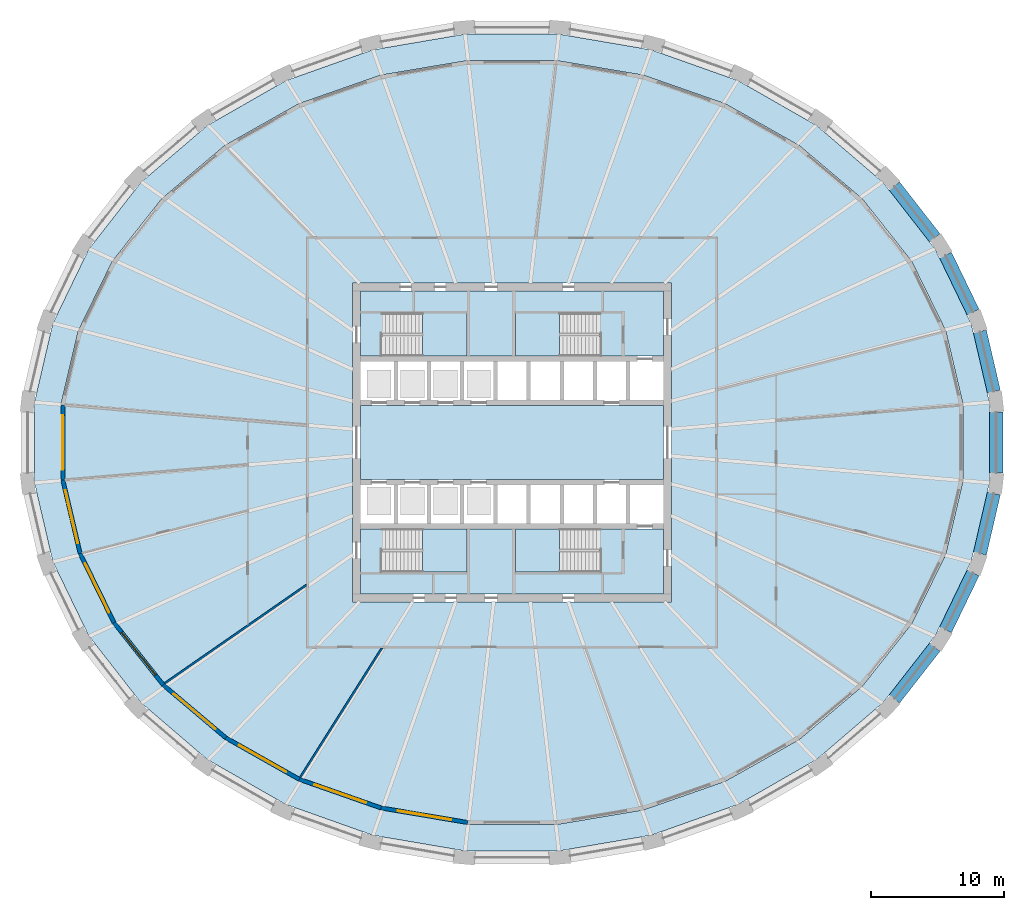
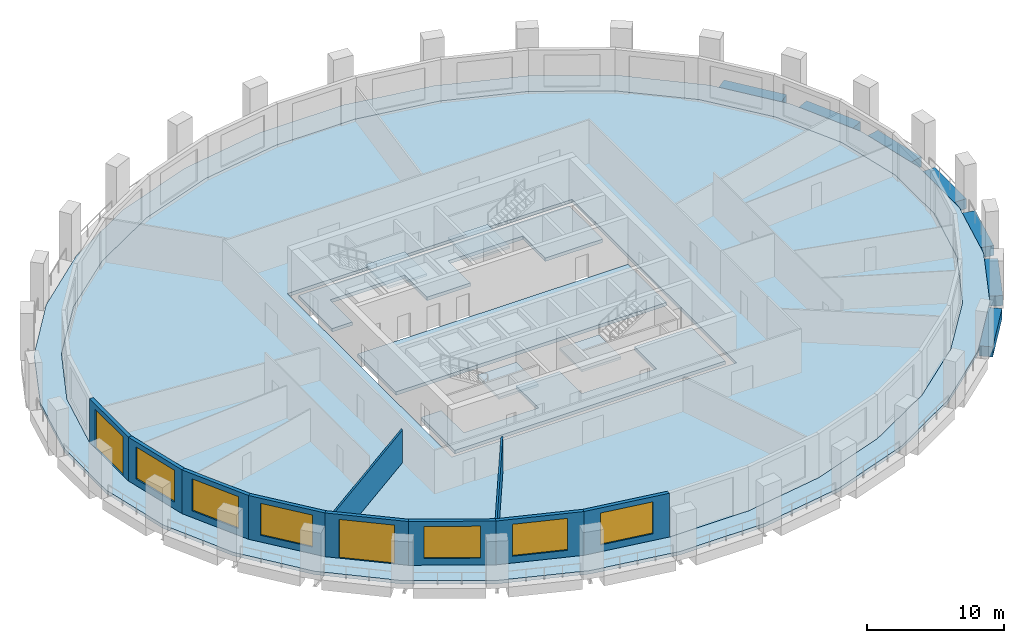
# One storey, part 2 of 11: 10 walls, 9 slabs, 7 beams, 6 windows, 2 doors, 8 openings, 4 elements without a shape of their own.
"""IFC4 building model written with IfcOpenShell, lengths in metres."""

from ifc_helpers import new_model, si_unit, direction, frame, frame_2d, origin, origin_2d, place, context, subcontext, project, spatial, polyline, rectangle, outline, extrude, material, layer, layer_set, material_profile, profile_set, type_object, element, fill, aggregate, save


model = new_model("IFC4")

# Units and contexts
model_context = context("Model", 3, precision=1e-05, world=origin(), true_north=direction((0.0, 1.0)))
body_context = subcontext(model_context, "Body", "Model", "MODEL_VIEW")
ifc_project = project(units=[si_unit("LENGTHUNIT", "METRE"), si_unit("AREAUNIT", "SQUARE_METRE"), si_unit("VOLUMEUNIT", "CUBIC_METRE"), si_unit("PLANEANGLEUNIT", "RADIAN"), si_unit("MASSUNIT", "GRAM", prefix="KILO")], contexts=[model_context])

# Site, building, storey
site_placement = place(None, origin())
site = spatial("IfcSite", under=ifc_project, at=site_placement, CompositionType="ELEMENT")
building_placement = place(site_placement, origin())
building = spatial("IfcBuilding", under=site, at=building_placement, Name="Halqa Exchange Tower", CompositionType="ELEMENT")
storey_placement = place(building_placement, frame((0.0, 0.0, 78.10009765625)))
storey = spatial("IfcBuildingStorey", under=building, at=storey_placement, Name="L17", CompositionType="ELEMENT", Elevation=78.10009765625)

# Beams
ifc_material_1 = material(Name="Concrete C60/75", Category="concrete")
ifc_material_profile = material_profile(ifc_material_1, rectangle(XDim=1.0, YDim=0.89990234375, at=origin_2d()), Name="1000 x 900")
ifc_profile_set = profile_set([ifc_material_profile], Name="Concrete C60/75")
beam_type = type_object("IfcBeamType", Name="RC spandrel beam 1000 x 900 C60/75", PredefinedType="SPANDREL", material=ifc_profile_set)
beam_1_placement = place(storey_placement, frame((36.279541015625, 3.83447265625, -0.4501953125), z_axis=(-0.226061116023, 0.97411312065, 0.0), x_axis=(-0.97411312065, -0.226061116023, 0.0)))
element("IfcBeam", 1, at=beam_1_placement, inside=storey, type_object=beam_type, Name="Spandrel 1", PredefinedType="SPANDREL", context=body_context, shape_type="SweptSolid", body=[
    extrude(rectangle(XDim=1.0, YDim=0.89990234375, at=origin_2d()), origin(), (0.0, 0.0, 1.0), 4.643798828125),
])
beam_2_placement = place(storey_placement, frame((34.716064453125, 9.814697265625, -0.4501953125), z_axis=(-0.435134718336, 0.900365357452, 0.0), x_axis=(-0.900365357452, -0.435134718336, 0.0)))
element("IfcBeam", 2, at=beam_2_placement, inside=storey, type_object=beam_type, Name="Spandrel 2", PredefinedType="SPANDREL", context=body_context, shape_type="SweptSolid", body=[
    extrude(rectangle(XDim=1.0, YDim=0.89990234375, at=origin_2d()), origin(), (0.0, 0.0, 1.0), 4.76171875),
])
for number, where, z_axis, x_axis, name in (
    (3, (31.82958984375, 15.41259765625, -0.4501953125), (-0.614823356822, 0.788664846374, 0.0), (-0.788664846374, -0.614823356822, 0.0), "Spandrel 3"),
    (4, (28.793701171875, -19.306884765625, -0.4501953125), (0.614823356822, 0.788664846374, 0.0), (-0.788664846374, 0.614823356822, 0.0), "Spandrel 29"),
):
    element("IfcBeam", number, at=place(storey_placement, frame(where, z_axis=z_axis, x_axis=x_axis)), inside=storey, type_object=beam_type, Name=name, PredefinedType="SPANDREL", context=body_context, shape_type="SweptSolid", body=[
        extrude(rectangle(XDim=1.0, YDim=0.89990234375, at=origin_2d()), origin(), (0.0, 0.0, 1.0), 4.937744140625),
    ])
beam_3_placement = place(storey_placement, frame((32.64404296875, -14.10205078125, -0.4501953125), z_axis=(0.435134718336, 0.900365357452, 0.0), x_axis=(-0.900365357452, 0.435134718336, 0.0)))
element("IfcBeam", 5, at=beam_3_placement, inside=storey, type_object=beam_type, Name="Spandrel 30", PredefinedType="SPANDREL", context=body_context, shape_type="SweptSolid", body=[
    extrude(rectangle(XDim=1.0, YDim=0.89990234375, at=origin_2d()), origin(), (0.0, 0.0, 1.0), 4.76171875),
])
beam_4_placement = place(storey_placement, frame((35.229736328125, -8.358154296875, -0.4501953125), z_axis=(0.226061116023, 0.97411312065, 0.0), x_axis=(-0.97411312065, 0.226061116023, 0.0)))
element("IfcBeam", 6, at=beam_4_placement, inside=storey, type_object=beam_type, Name="Spandrel 31", PredefinedType="SPANDREL", context=body_context, shape_type="SweptSolid", body=[
    extrude(rectangle(XDim=1.0, YDim=0.89990234375, at=origin_2d()), origin(), (0.0, 0.0, 1.0), 4.643798828125),
])
beam_5_placement = place(storey_placement, frame((36.455078125, -2.30029296875, -0.4501953125), z_axis=(0.0, 1.0, 0.0), x_axis=(-1.0, 0.0, 0.0)))
element("IfcBeam", 7, at=beam_5_placement, inside=storey, type_object=beam_type, Name="Spandrel 32", PredefinedType="SPANDREL", context=body_context, shape_type="SweptSolid", body=[
    extrude(rectangle(XDim=1.0, YDim=0.89990234375, at=origin_2d()), origin(), (0.0, 0.0, 1.0), 4.6005859375),
])

# Slabs
ifc_layer_1 = layer(ifc_material_1, 0.300048828125)
ifc_layer_set_1 = layer_set([ifc_layer_1], Name="Concrete C60/75")
slab_type_1 = type_object("IfcSlabType", Name="Core floor slab 300", PredefinedType="FLOOR", material=ifc_layer_set_1)
slab_1_placement = place(storey_placement, frame((0.0, 0.0, -0.300048828125)))
element("IfcSlab", 8, at=slab_1_placement, inside=storey, type_object=slab_type_1, Name="Core floor slab", PredefinedType="FLOOR", context=body_context, shape_type="SweptSolid", body=[
    extrude(outline(polyline([(-11.39990234375, 2.800048828125), (11.39990234375, 2.800048828125), (11.39990234375, -2.800048828125), (-11.39990234375, -2.800048828125), (-11.39990234375, 2.800048828125)])), origin(), (0.0, 0.0, 1.0), 0.300048828125),
])
slab_2_placement = place(storey_placement, frame((0.0, 0.0, -0.300048828125)))
element("IfcSlab", 9, at=slab_2_placement, inside=storey, type_object=slab_type_1, Name="Core floor slab", PredefinedType="FLOOR", context=body_context, shape_type="SweptSolid", body=[
    extrude(outline(polyline([(-11.39990234375, 11.39990234375), (11.39990234375, 11.39990234375), (11.39990234375, 6.5), (6.550048828125, 6.5), (6.550048828125, 9.75), (0.25, 9.75), (0.25, 6.5), (-3.39990234375, 6.5), (-3.39990234375, 9.75), (-9.699951171875, 9.75), (-9.699951171875, 6.5), (-11.39990234375, 6.5), (-11.39990234375, 11.39990234375)])), origin(), (0.0, 0.0, 1.0), 0.300048828125),
])
slab_3_placement = place(storey_placement, frame((0.0, 0.0, -0.300048828125)))
element("IfcSlab", 10, at=slab_3_placement, inside=storey, type_object=slab_type_1, Name="Core floor slab", PredefinedType="FLOOR", context=body_context, shape_type="SweptSolid", body=[
    extrude(outline(polyline([(-9.699951171875, -9.75), (-3.39990234375, -9.75), (-3.39990234375, -6.5), (0.25, -6.5), (0.25, -9.75), (6.550048828125, -9.75), (6.550048828125, -6.5), (11.39990234375, -6.5), (11.39990234375, -11.39990234375), (-11.39990234375, -11.39990234375), (-11.39990234375, -6.5), (-9.699951171875, -6.5), (-9.699951171875, -9.75)])), origin(), (0.0, 0.0, 1.0), 0.300048828125),
])
ifc_material_2 = material(Name="Concrete C40/50", Category="concrete")
ifc_layer_2 = layer(ifc_material_2, 0.300048828125)
ifc_layer_set_2 = layer_set([ifc_layer_2], Name="Concrete C40/50")
slab_type_2 = type_object("IfcSlabType", Name="RC floor slab 300", PredefinedType="FLOOR", material=ifc_layer_set_2)
slab_4_placement = place(storey_placement, frame((0.0, 0.0, -0.300048828125)))
element("IfcSlab", 11, at=slab_4_placement, inside=storey, type_object=slab_type_2, Name="Floor slab", PredefinedType="FLOOR", context=body_context, shape_type="SweptSolid", body=[
    extrude(outline(polyline([(33.96875, 2.837890625), (32.6591796875, 8.4033203125), (30.092041015625, 13.64208984375), (26.368896484375, 18.352294921875), (21.634521484375, 22.354248046875), (16.072509765625, 25.495849609375), (9.895751953125, 27.65869140625), (3.341064453125, 28.7607421875), (-3.341064453125, 28.7607421875), (-9.895751953125, 27.65869140625), (-16.072509765625, 25.495849609375), (-21.634521484375, 22.354248046875), (-26.368896484375, 18.352294921875), (-30.092041015625, 13.64208984375), (-32.6591796875, 8.4033203125), (-33.96875, 2.837890625), (-33.96875, -2.837890625), (-32.6591796875, -8.4033203125), (-30.092041015625, -13.64208984375), (-26.368896484375, -18.352294921875), (-21.634521484375, -22.354248046875), (-16.072509765625, -25.495849609375), (-9.895751953125, -27.65869140625), (-3.341064453125, -28.7607421875), (3.341064453125, -28.7607421875), (9.895751953125, -27.65869140625), (16.072509765625, -25.495849609375), (21.634521484375, -22.354248046875), (26.368896484375, -18.352294921875), (30.092041015625, -13.64208984375), (32.6591796875, -8.4033203125), (33.96875, -2.837890625), (33.96875, 2.837890625)]), holes=[polyline([(-12.0, -12.0), (12.0, -12.0), (12.0, 12.0), (-12.0, 12.0), (-12.0, -12.0)])]), origin(), (0.0, 0.0, 1.0), 0.300048828125),
])
ifc_layer_3 = layer(ifc_material_2, 0.300048828125)
ifc_layer_set_3 = layer_set([ifc_layer_3], Name="Concrete C40/50")
slab_type_3 = type_object("IfcSlabType", Name="RC loggia slab 300", PredefinedType="FLOOR", material=ifc_layer_set_3)
slab_5_placement = place(storey_placement, frame((0.0, 0.0, -0.300048828125)))
element("IfcSlab", 12, at=slab_5_placement, inside=storey, type_object=slab_type_3, Name="Loggia slab", PredefinedType="FLOOR", context=body_context, shape_type="SweptSolid", body=[
    extrude(outline(polyline([(35.955078125, 3.020263671875), (35.955078125, -3.020263671875), (34.579833984375, -8.947265625), (31.879150390625, -14.53564453125), (27.953125, -19.572021484375), (22.94921875, -23.861083984375), (17.058349609375, -27.23486328125), (10.507080078125, -29.560791015625), (3.548095703125, -30.747314453125), (-3.548095703125, -30.747314453125), (-10.507080078125, -29.560791015625), (-17.058349609375, -27.23486328125), (-22.94921875, -23.861083984375), (-27.953125, -19.572021484375), (-31.879150390625, -14.53564453125), (-34.579833984375, -8.947265625), (-35.955078125, -3.020263671875), (-35.955078125, 3.020263671875), (-34.579833984375, 8.947265625), (-31.879150390625, 14.53564453125), (-27.953125, 19.572021484375), (-22.94921875, 23.861083984375), (-17.058349609375, 27.23486328125), (-10.507080078125, 29.560791015625), (-3.548095703125, 30.747314453125), (3.548095703125, 30.747314453125), (10.507080078125, 29.560791015625), (17.058349609375, 27.23486328125), (22.94921875, 23.861083984375), (27.953125, 19.572021484375), (31.879150390625, 14.53564453125), (34.579833984375, 8.947265625), (35.955078125, 3.020263671875)]), holes=[polyline([(33.96875, 2.837890625), (32.6591796875, 8.4033203125), (30.092041015625, 13.64208984375), (26.368896484375, 18.352294921875), (21.634521484375, 22.354248046875), (16.072509765625, 25.495849609375), (9.895751953125, 27.65869140625), (3.341064453125, 28.7607421875), (-3.341064453125, 28.7607421875), (-9.895751953125, 27.65869140625), (-16.072509765625, 25.495849609375), (-21.634521484375, 22.354248046875), (-26.368896484375, 18.352294921875), (-30.092041015625, 13.64208984375), (-32.6591796875, 8.4033203125), (-33.96875, 2.837890625), (-33.96875, -2.837890625), (-32.6591796875, -8.4033203125), (-30.092041015625, -13.64208984375), (-26.368896484375, -18.352294921875), (-21.634521484375, -22.354248046875), (-16.072509765625, -25.495849609375), (-9.895751953125, -27.65869140625), (-3.341064453125, -28.7607421875), (3.341064453125, -28.7607421875), (9.895751953125, -27.65869140625), (16.072509765625, -25.495849609375), (21.634521484375, -22.354248046875), (26.368896484375, -18.352294921875), (30.092041015625, -13.64208984375), (32.6591796875, -8.4033203125), (33.96875, -2.837890625), (33.96875, 2.837890625)])]), origin(), (0.0, 0.0, 1.0), 0.300048828125),
])

# Stair, slab
ifc_material_3 = material(Name="Concrete C30/37", Category="concrete")
stair_type = type_object("IfcStairType", Name="Exit stair 1500 wide", PredefinedType="HALF_TURN_STAIR", material=ifc_material_3)
stair_1_placement = place(storey_placement, origin())
stair_1 = element("IfcStair", 13, at=stair_1_placement, inside=storey, type_object=stair_type, Name="Exit stair ST1", PredefinedType="HALF_TURN_STAIR")
ifc_layer_4 = layer(ifc_material_3, 0.199951171875)
ifc_layer_set_4 = layer_set([ifc_layer_4], Name="Concrete C30/37")
slab_type_4 = type_object("IfcSlabType", Name="Stair landing 200 slab", PredefinedType="LANDING", material=ifc_layer_set_4)
slab_6_placement = place(storey_placement, frame((0.0, 0.0, 1.89990234375)))
slab_6 = element("IfcSlab", 14, at=slab_6_placement, type_object=slab_type_4, Name="ST1 landing 1", PredefinedType="LANDING", context=body_context, shape_type="SweptSolid", body=[
    extrude(outline(polyline([(-6.719970703125, 6.5), (-3.39990234375, 6.5), (-3.39990234375, 9.75), (-6.719970703125, 9.75), (-6.719970703125, 6.5)])), origin(), (0.0, 0.0, 1.0), 0.199951171875),
])
aggregate(stair_1, [slab_6])

stair_2_placement = place(storey_placement, origin())
stair_2 = element("IfcStair", 15, at=stair_2_placement, inside=storey, type_object=stair_type, Name="Exit stair ST2", PredefinedType="HALF_TURN_STAIR")
slab_7_placement = place(storey_placement, frame((0.0, 0.0, 1.89990234375)))
slab_7 = element("IfcSlab", 16, at=slab_7_placement, type_object=slab_type_4, Name="ST2 landing 1", PredefinedType="LANDING", context=body_context, shape_type="SweptSolid", body=[
    extrude(outline(polyline([(0.25, 6.5), (3.570068359375, 6.5), (3.570068359375, 9.75), (0.25, 9.75), (0.25, 6.5)])), origin(), (0.0, 0.0, 1.0), 0.199951171875),
])
aggregate(stair_2, [slab_7])

stair_3_placement = place(storey_placement, origin())
stair_3 = element("IfcStair", 17, at=stair_3_placement, inside=storey, type_object=stair_type, Name="Exit stair ST3", PredefinedType="HALF_TURN_STAIR")
slab_8_placement = place(storey_placement, frame((0.0, 0.0, 1.89990234375)))
slab_8 = element("IfcSlab", 18, at=slab_8_placement, type_object=slab_type_4, Name="ST3 landing 1", PredefinedType="LANDING", context=body_context, shape_type="SweptSolid", body=[
    extrude(outline(polyline([(-6.719970703125, -9.75), (-3.39990234375, -9.75), (-3.39990234375, -6.5), (-6.719970703125, -6.5), (-6.719970703125, -9.75)])), origin(), (0.0, 0.0, 1.0), 0.199951171875),
])
aggregate(stair_3, [slab_8])

stair_4_placement = place(storey_placement, origin())
stair_4 = element("IfcStair", 19, at=stair_4_placement, inside=storey, type_object=stair_type, Name="Exit stair ST4", PredefinedType="HALF_TURN_STAIR")
slab_9_placement = place(storey_placement, frame((0.0, 0.0, 1.89990234375)))
slab_9 = element("IfcSlab", 20, at=slab_9_placement, type_object=slab_type_4, Name="ST4 landing 1", PredefinedType="LANDING", context=body_context, shape_type="SweptSolid", body=[
    extrude(outline(polyline([(0.25, -9.75), (3.570068359375, -9.75), (3.570068359375, -6.5), (0.25, -6.5), (0.25, -9.75)])), origin(), (0.0, 0.0, 1.0), 0.199951171875),
])
aggregate(stair_4, [slab_9])

# Walls
ifc_material_4 = material(Name="Fire-rated gypsum board")
ifc_layer_5 = layer(ifc_material_4, 0.14990234375)
ifc_layer_set_5 = layer_set([ifc_layer_5], Name="Fire-rated gypsum board")
wall_type_1 = type_object("IfcWallType", Name="Fire partition EI 60 150", PredefinedType="PARTITIONING", material=ifc_layer_set_5)
wall_1_placement = place(storey_placement, frame((-26.158203125, -18.142333984375, 0.0), z_axis=(0.0, 0.0, 1.0), x_axis=(0.821670699987, 0.569962508226, 0.0)))
element("IfcWall", 21, at=wall_1_placement, inside=storey, type_object=wall_type_1, Name="L17-PWL-002", PredefinedType="PARTITIONING", context=body_context, shape_type="SweptSolid", body=[
    extrude(outline(polyline([(0.02392578125, -0.074951171875), (1.870361328125, -0.074951171875), (3.717041015625, -0.074951171875), (5.5634765625, -0.074951171875), (7.41015625, -0.074951171875), (9.256591796875, -0.074951171875), (11.103271484375, -0.074951171875), (12.94970703125, -0.074951171875), (13.0029296875, 0.001708984375), (13.0029296875, 0.001708984375), (13.053466796875, 0.074462890625), (13.053466796875, 0.074951171875), (11.27880859375, 0.074951171875), (9.50390625, 0.074951171875), (7.729248046875, 0.074951171875), (7.72802734375, 0.0732421875), (7.7255859375, 0.074951171875), (5.794189453125, 0.074951171875), (3.86279296875, 0.074951171875), (1.931396484375, 0.074951171875), (0.0, 0.074951171875), (0.0, 0.072509765625), (0.004638671875, -0.003662109375), (0.02392578125, -0.074951171875)])), origin(), (0.0, 0.0, 1.0), 2.909912109375),
])
wall_2_placement = place(storey_placement, frame((-9.76220703125, -15.43505859375, 0.0), z_axis=(0.0, 0.0, 1.0), x_axis=(-0.534199196173, -0.845358633249, 0.0)))
element("IfcWall", 22, at=wall_2_placement, inside=storey, type_object=wall_type_1, Name="L17-PWL-010", PredefinedType="PARTITIONING", context=body_context, shape_type="SweptSolid", body=[
    extrude(outline(polyline([(11.580810546875, -0.074951171875), (11.580810546875, -0.065673828125), (11.57763671875, -0.001220703125), (11.56005859375, 0.074951171875), (9.63330078125, 0.074951171875), (7.706787109375, 0.074951171875), (5.780029296875, 0.074951171875), (3.853271484375, 0.074951171875), (1.9267578125, 0.074951171875), (0.0, 0.074951171875), (0.0, 0.07470703125), (0.0947265625, -0.074951171875), (2.009033203125, -0.074951171875), (3.92333984375, -0.074951171875), (5.837646484375, -0.074951171875), (7.752197265625, -0.074951171875), (9.66650390625, -0.074951171875), (11.580810546875, -0.074951171875)])), origin(), (0.0, 0.0, 1.0), 3.14697265625),
])

# Wall, opening, door
ifc_material_5 = material(Name="Limestone cladding", Category="masonry")
ifc_layer_6 = layer(ifc_material_5, 0.0400390625)
ifc_material_6 = material(Name="Ventilated cavity")
ifc_layer_7 = layer(ifc_material_6, 0.030029296875, ventilated=True)
ifc_material_7 = material(Name="Mineral wool insulation")
ifc_layer_8 = layer(ifc_material_7, 0.10009765625)
ifc_layer_9 = layer(ifc_material_3, 0.10009765625)
ifc_material_8 = material(Name="Internal plaster")
ifc_layer_10 = layer(ifc_material_8, 0.030029296875)
ifc_layer_set_6 = layer_set([ifc_layer_6, ifc_layer_7, ifc_layer_8, ifc_layer_9, ifc_layer_10], Name="Stone-faced insulated wall 300")
wall_type_2 = type_object("IfcWallType", Name="Stone-faced insulated wall 300", PredefinedType="STANDARD", material=ifc_layer_set_6)
wall_3_placement = place(storey_placement, frame((-33.818603515625, 2.820556640625, 0.0), z_axis=(0.0, 0.0, 1.0), x_axis=(0.0, -1.0, 0.0)))
wall_3 = element("IfcWall", 23, at=wall_3_placement, inside=storey, type_object=wall_type_2, Name="Glass-line wall 16", PredefinedType="STANDARD", context=body_context, shape_type="SweptSolid", body=[
    extrude(outline(polyline([(-0.017333984375, -0.14990234375), (5.658447265625, -0.14990234375), (5.623779296875, 0.14990234375), (0.017333984375, 0.14990234375), (-0.017333984375, -0.14990234375)])), origin(), (0.0, 0.0, 1.0), 3.89990234375),
])
opening_1_placement = place(wall_3_placement, frame((0.7705078125, 0.0, 0.0)))
opening_1 = element("IfcOpeningElement", 24, at=opening_1_placement, cuts=wall_3, Name="Opening LG-F1-04", PredefinedType="OPENING", context=body_context, shape_type="SweptSolid", body=[
    extrude(rectangle(XDim=4.10009765625, YDim=3.449951171875, at=frame_2d((2.050048828125, 1.72509765625))), frame((0.0, 0.162109375, 0.0), z_axis=(0.0, -1.0, 0.0), x_axis=(1.0, 0.0, 0.0)), (0.0, 0.0, 1.0), 0.323974609375),
])
ifc_material_9 = material(Name="Clear low-emissivity glass in aluminium frame", Category="aluminium")
door_type = type_object("IfcDoorType", Name="Glazed sliding loggia door 4100 x 3450", OperationType="DOUBLE_DOOR_SLIDING", PredefinedType="DOOR", material=ifc_material_9)
door_1_placement = place(opening_1_placement, origin())
door_1 = element("IfcDoor", 25, at=door_1_placement, inside=storey, type_object=door_type, Name="Loggia door 4", OperationType="DOUBLE_DOOR_SLIDING", OverallHeight=3.449951171875, OverallWidth=4.10009765625, PredefinedType="DOOR", context=body_context, shape_type="SweptSolid", body=[
    extrude(rectangle(XDim=4.10009765625, YDim=3.449951171875, at=frame_2d((2.050048828125, 1.72509765625))), frame((0.0, 0.02490234375, 0.0), z_axis=(0.0, -1.0, 0.0), x_axis=(1.0, 0.0, 0.0)), (0.0, 0.0, 1.0), 0.050048828125),
])
fill(opening_1, door_1)

# Wall, opening, window
wall_4_placement = place(storey_placement, frame((-33.818603515625, -2.820556640625, 0.0), z_axis=(0.0, 0.0, 1.0), x_axis=(0.229058489262, -0.97341266095, 0.0)))
wall_4 = element("IfcWall", 26, at=wall_4_placement, inside=storey, type_object=wall_type_2, Name="Glass-line wall 17", PredefinedType="STANDARD", context=body_context, shape_type="SweptSolid", body=[
    extrude(outline(polyline([(-0.017333984375, -0.14990234375), (5.699951171875, -0.14990234375), (5.666259765625, 0.14990234375), (0.017333984375, 0.14990234375), (-0.017333984375, -0.14990234375)])), origin(), (0.0, 0.0, 1.0), 3.89990234375),
])
opening_2_placement = place(wall_4_placement, frame((0.79150390625, 0.0, 0.60009765625)))
opening_2 = element("IfcOpeningElement", 27, at=opening_2_placement, cuts=wall_4, Name="Opening W-F1-17", PredefinedType="OPENING", context=body_context, shape_type="SweptSolid", body=[
    extrude(rectangle(XDim=4.10009765625, YDim=2.85009765625, at=frame_2d((2.050048828125, 1.425048828125))), frame((0.0, 0.162109375, 0.0), z_axis=(0.0, -1.0, 0.0), x_axis=(1.0, 0.0, 0.0)), (0.0, 0.0, 1.0), 0.323974609375),
])
window_type = type_object("IfcWindowType", Name="Fixed clear glazed window 4100 x 2850", PartitioningType="TRIPLE_PANEL_VERTICAL", PredefinedType="WINDOW", material=ifc_material_9)
window_1_placement = place(opening_2_placement, origin())
window_1 = element("IfcWindow", 28, at=window_1_placement, inside=storey, type_object=window_type, Name="Window 1", OverallHeight=2.85009765625, OverallWidth=4.10009765625, PartitioningType="TRIPLE_PANEL_VERTICAL", PredefinedType="WINDOW", context=body_context, shape_type="SweptSolid", body=[
    extrude(rectangle(XDim=4.10009765625, YDim=2.85009765625, at=frame_2d((2.050048828125, 1.425048828125))), frame((0.0, 0.030029296875, 0.0), z_axis=(0.0, -1.0, 0.0), x_axis=(1.0, 0.0, 0.0)), (0.0, 0.0, 1.0), 0.06005859375),
])
fill(opening_2, window_1)

wall_5_placement = place(storey_placement, frame((-32.516845703125, -8.3525390625, 0.0), z_axis=(0.0, 0.0, 1.0), x_axis=(0.440027465772, -0.897984314655, 0.0)))
wall_5 = element("IfcWall", 29, at=wall_5_placement, inside=storey, type_object=wall_type_2, Name="Glass-line wall 18", PredefinedType="STANDARD", context=body_context, shape_type="SweptSolid", body=[
    extrude(outline(polyline([(-0.016845703125, -0.14990234375), (5.81689453125, -0.14990234375), (5.78466796875, 0.14990234375), (0.016845703125, 0.14990234375), (-0.016845703125, -0.14990234375)])), origin(), (0.0, 0.0, 1.0), 3.89990234375),
])
opening_3_placement = place(wall_5_placement, frame((0.850341796875, 0.0, 0.60009765625)))
opening_3 = element("IfcOpeningElement", 30, at=opening_3_placement, cuts=wall_5, Name="Opening W-F1-18", PredefinedType="OPENING", context=body_context, shape_type="SweptSolid", body=[
    extrude(rectangle(XDim=4.10009765625, YDim=2.85009765625, at=frame_2d((2.050048828125, 1.425048828125))), frame((0.0, 0.162109375, 0.0), z_axis=(0.0, -1.0, 0.0), x_axis=(1.0, 0.0, 0.0)), (0.0, 0.0, 1.0), 0.323974609375),
])
window_2_placement = place(opening_3_placement, origin())
window_2 = element("IfcWindow", 31, at=window_2_placement, inside=storey, type_object=window_type, Name="Window 1", OverallHeight=2.85009765625, OverallWidth=4.10009765625, PartitioningType="TRIPLE_PANEL_VERTICAL", PredefinedType="WINDOW", context=body_context, shape_type="SweptSolid", body=[
    extrude(rectangle(XDim=4.10009765625, YDim=2.85009765625, at=frame_2d((2.050048828125, 1.425048828125))), frame((0.0, 0.030029296875, 0.0), z_axis=(0.0, -1.0, 0.0), x_axis=(1.0, 0.0, 0.0)), (0.0, 0.0, 1.0), 0.06005859375),
])
fill(opening_3, window_2)

wall_6_placement = place(storey_placement, frame((-29.96435546875, -13.5615234375, 0.0), z_axis=(0.0, 0.0, 1.0), x_axis=(0.620093447965, -0.784527957303, 0.0)))
wall_6 = element("IfcWall", 32, at=wall_6_placement, inside=storey, type_object=wall_type_2, Name="Glass-line wall 19", PredefinedType="STANDARD", context=body_context, shape_type="SweptSolid", body=[
    extrude(outline(polyline([(-0.01611328125, -0.14990234375), (5.98828125, -0.14990234375), (5.9580078125, 0.14990234375), (0.01611328125, 0.14990234375), (-0.01611328125, -0.14990234375)])), origin(), (0.0, 0.0, 1.0), 3.89990234375),
])
opening_4_placement = place(wall_6_placement, frame((0.9365234375, 0.0, 0.60009765625)))
opening_4 = element("IfcOpeningElement", 33, at=opening_4_placement, cuts=wall_6, Name="Opening W-F1-19", PredefinedType="OPENING", context=body_context, shape_type="SweptSolid", body=[
    extrude(rectangle(XDim=4.10009765625, YDim=2.85009765625, at=frame_2d((2.050048828125, 1.425048828125))), frame((0.0, 0.162109375, 0.0), z_axis=(0.0, -1.0, 0.0), x_axis=(1.0, 0.0, 0.0)), (0.0, 0.0, 1.0), 0.323974609375),
])
window_3_placement = place(opening_4_placement, origin())
window_3 = element("IfcWindow", 34, at=window_3_placement, inside=storey, type_object=window_type, Name="Window 1", OverallHeight=2.85009765625, OverallWidth=4.10009765625, PartitioningType="TRIPLE_PANEL_VERTICAL", PredefinedType="WINDOW", context=body_context, shape_type="SweptSolid", body=[
    extrude(rectangle(XDim=4.10009765625, YDim=2.85009765625, at=frame_2d((2.050048828125, 1.425048828125))), frame((0.0, 0.030029296875, 0.0), z_axis=(0.0, -1.0, 0.0), x_axis=(1.0, 0.0, 0.0)), (0.0, 0.0, 1.0), 0.06005859375),
])
fill(opening_4, window_3)

# Wall, opening, door
wall_7_placement = place(storey_placement, frame((-26.260498046875, -18.24755859375, 0.0), z_axis=(0.0, 0.0, 1.0), x_axis=(0.763693886759, -0.645578536916, 0.0)))
wall_7 = element("IfcWall", 35, at=wall_7_placement, inside=storey, type_object=wall_type_2, Name="Glass-line wall 20", PredefinedType="STANDARD", context=body_context, shape_type="SweptSolid", body=[
    extrude(outline(polyline([(-0.01513671875, -0.14990234375), (6.18408203125, -0.14990234375), (6.15576171875, 0.14990234375), (0.01513671875, 0.14990234375), (-0.01513671875, -0.14990234375)])), origin(), (0.0, 0.0, 1.0), 3.89990234375),
])
opening_5_placement = place(wall_7_placement, frame((1.034912109375, 0.0, 0.0)))
opening_5 = element("IfcOpeningElement", 36, at=opening_5_placement, cuts=wall_7, Name="Opening LG-F1-05", PredefinedType="OPENING", context=body_context, shape_type="SweptSolid", body=[
    extrude(rectangle(XDim=4.10009765625, YDim=3.449951171875, at=frame_2d((2.050048828125, 1.72509765625))), frame((0.0, 0.162109375, 0.0), z_axis=(0.0, -1.0, 0.0), x_axis=(1.0, 0.0, 0.0)), (0.0, 0.0, 1.0), 0.323974609375),
])
door_2_placement = place(opening_5_placement, origin())
door_2 = element("IfcDoor", 37, at=door_2_placement, inside=storey, type_object=door_type, Name="Loggia door 5", OperationType="DOUBLE_DOOR_SLIDING", OverallHeight=3.449951171875, OverallWidth=4.10009765625, PredefinedType="DOOR", context=body_context, shape_type="SweptSolid", body=[
    extrude(rectangle(XDim=4.10009765625, YDim=3.449951171875, at=frame_2d((2.050048828125, 1.72509765625))), frame((0.0, 0.02490234375, 0.0), z_axis=(0.0, -1.0, 0.0), x_axis=(1.0, 0.0, 0.0)), (0.0, 0.0, 1.0), 0.050048828125),
])
fill(opening_5, door_2)

# Wall, opening, window
wall_8_placement = place(storey_placement, frame((-21.548583984375, -22.230712890625, 0.0), z_axis=(0.0, 0.0, 1.0), x_axis=(0.870710061474, -0.491796694629, 0.0)))
wall_8 = element("IfcWall", 38, at=wall_8_placement, inside=storey, type_object=wall_type_2, Name="Glass-line wall 21", PredefinedType="STANDARD", context=body_context, shape_type="SweptSolid", body=[
    extrude(outline(polyline([(-0.01416015625, -0.14990234375), (6.3740234375, -0.14990234375), (6.34716796875, 0.14990234375), (0.01416015625, 0.14990234375), (-0.01416015625, -0.14990234375)])), origin(), (0.0, 0.0, 1.0), 3.89990234375),
])
opening_6_placement = place(wall_8_placement, frame((1.13037109375, 0.0, 0.60009765625)))
opening_6 = element("IfcOpeningElement", 39, at=opening_6_placement, cuts=wall_8, Name="Opening W-F1-21", PredefinedType="OPENING", context=body_context, shape_type="SweptSolid", body=[
    extrude(rectangle(XDim=4.10009765625, YDim=2.85009765625, at=frame_2d((2.050048828125, 1.425048828125))), frame((0.0, 0.162109375, 0.0), z_axis=(0.0, -1.0, 0.0), x_axis=(1.0, 0.0, 0.0)), (0.0, 0.0, 1.0), 0.323974609375),
])
window_4_placement = place(opening_6_placement, origin())
window_4 = element("IfcWindow", 40, at=window_4_placement, inside=storey, type_object=window_type, Name="Window 1", OverallHeight=2.85009765625, OverallWidth=4.10009765625, PartitioningType="TRIPLE_PANEL_VERTICAL", PredefinedType="WINDOW", context=body_context, shape_type="SweptSolid", body=[
    extrude(rectangle(XDim=4.10009765625, YDim=2.85009765625, at=frame_2d((2.050048828125, 1.425048828125))), frame((0.0, 0.030029296875, 0.0), z_axis=(0.0, -1.0, 0.0), x_axis=(1.0, 0.0, 0.0)), (0.0, 0.0, 1.0), 0.06005859375),
])
fill(opening_6, window_4)

wall_9_placement = place(storey_placement, frame((-16.01025390625, -25.35888671875, 0.0), z_axis=(0.0, 0.0, 1.0), x_axis=(0.943815136299, -0.330473884736, 0.0)))
wall_9 = element("IfcWall", 41, at=wall_9_placement, inside=storey, type_object=wall_type_2, Name="Glass-line wall 22", PredefinedType="STANDARD", context=body_context, shape_type="SweptSolid", body=[
    extrude(outline(polyline([(-0.013427734375, -0.14990234375), (6.53076171875, -0.14990234375), (6.50537109375, 0.14990234375), (0.013427734375, 0.14990234375), (-0.013427734375, -0.14990234375)])), origin(), (0.0, 0.0, 1.0), 3.89990234375),
])
opening_7_placement = place(wall_9_placement, frame((1.208984375, 0.0, 0.60009765625)))
opening_7 = element("IfcOpeningElement", 42, at=opening_7_placement, cuts=wall_9, Name="Opening W-F1-22", PredefinedType="OPENING", context=body_context, shape_type="SweptSolid", body=[
    extrude(rectangle(XDim=4.10009765625, YDim=2.85009765625, at=frame_2d((2.050048828125, 1.425048828125))), frame((0.0, 0.162109375, 0.0), z_axis=(0.0, -1.0, 0.0), x_axis=(1.0, 0.0, 0.0)), (0.0, 0.0, 1.0), 0.323974609375),
])
window_5_placement = place(opening_7_placement, origin())
window_5 = element("IfcWindow", 43, at=window_5_placement, inside=storey, type_object=window_type, Name="Window 1", OverallHeight=2.85009765625, OverallWidth=4.10009765625, PartitioningType="TRIPLE_PANEL_VERTICAL", PredefinedType="WINDOW", context=body_context, shape_type="SweptSolid", body=[
    extrude(rectangle(XDim=4.10009765625, YDim=2.85009765625, at=frame_2d((2.050048828125, 1.425048828125))), frame((0.0, 0.030029296875, 0.0), z_axis=(0.0, -1.0, 0.0), x_axis=(1.0, 0.0, 0.0)), (0.0, 0.0, 1.0), 0.06005859375),
])
fill(opening_7, window_5)

wall_10_placement = place(storey_placement, frame((-9.8583984375, -27.512939453125, 0.0), z_axis=(0.0, 0.0, 1.0), x_axis=(0.986157735925, -0.165809890767, 0.0)))
wall_10 = element("IfcWall", 44, at=wall_10_placement, inside=storey, type_object=wall_type_2, Name="Glass-line wall 23", PredefinedType="STANDARD", context=body_context, shape_type="SweptSolid", body=[
    extrude(outline(polyline([(-0.0126953125, -0.14990234375), (6.6337890625, -0.14990234375), (6.60888671875, 0.14990234375), (0.0126953125, 0.14990234375), (-0.0126953125, -0.14990234375)])), origin(), (0.0, 0.0, 1.0), 3.89990234375),
])
opening_8_placement = place(wall_10_placement, frame((1.2607421875, 0.0, 0.60009765625)))
opening_8 = element("IfcOpeningElement", 45, at=opening_8_placement, cuts=wall_10, Name="Opening W-F1-23", PredefinedType="OPENING", context=body_context, shape_type="SweptSolid", body=[
    extrude(rectangle(XDim=4.10009765625, YDim=2.85009765625, at=frame_2d((2.050048828125, 1.425048828125))), frame((0.0, 0.162109375, 0.0), z_axis=(0.0, -1.0, 0.0), x_axis=(1.0, 0.0, 0.0)), (0.0, 0.0, 1.0), 0.323974609375),
])
window_6_placement = place(opening_8_placement, origin())
window_6 = element("IfcWindow", 46, at=window_6_placement, inside=storey, type_object=window_type, Name="Window 1", OverallHeight=2.85009765625, OverallWidth=4.10009765625, PartitioningType="TRIPLE_PANEL_VERTICAL", PredefinedType="WINDOW", context=body_context, shape_type="SweptSolid", body=[
    extrude(rectangle(XDim=4.10009765625, YDim=2.85009765625, at=frame_2d((2.050048828125, 1.425048828125))), frame((0.0, 0.030029296875, 0.0), z_axis=(0.0, -1.0, 0.0), x_axis=(1.0, 0.0, 0.0)), (0.0, 0.0, 1.0), 0.06005859375),
])
fill(opening_8, window_6)

save(model, "model.ifc")
